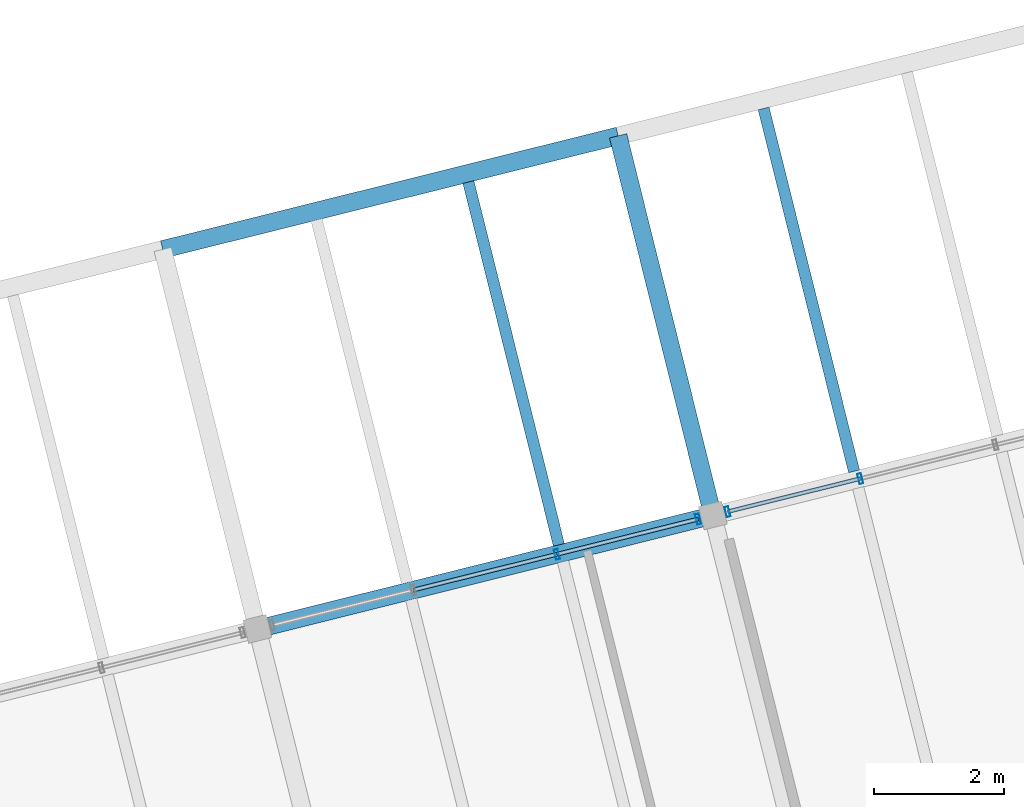
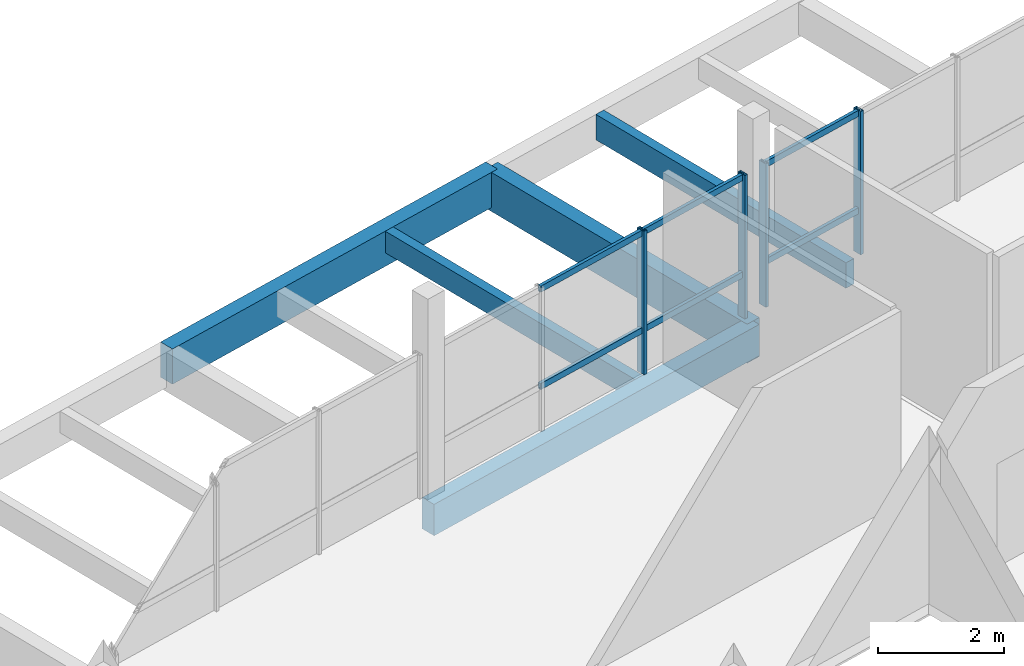
# One storey, part 21 of 28: 10 members, 5 beams, 2 elements without a shape of their own.
"""IFC4 building model written with IfcOpenShell, lengths in metres."""

from ifc_helpers import new_model, si_unit, direction, frame, origin, origin_2d, place, context, subcontext, project, spatial, rectangle, hollow_rectangle, extrude, material, layer, layer_set, material_profile, profile_set, type_object, element, aggregate, save


model = new_model("IFC4")

# Units and contexts
model_context = context("Model", 3, precision=1e-05, world=origin(), true_north=direction((0.0, 1.0)))
body_context = subcontext(model_context, "Body", "Model", "MODEL_VIEW")
ifc_project = project(units=[si_unit("LENGTHUNIT", "METRE"), si_unit("AREAUNIT", "SQUARE_METRE"), si_unit("VOLUMEUNIT", "CUBIC_METRE"), si_unit("PLANEANGLEUNIT", "RADIAN"), si_unit("MASSUNIT", "GRAM", prefix="KILO")], contexts=[model_context])

# Site, building, storey
site_placement = place(None, origin())
site = spatial("IfcSite", under=ifc_project, at=site_placement, CompositionType="ELEMENT")
building_placement = place(site_placement, origin())
building = spatial("IfcBuilding", under=site, at=building_placement, Name="Meriwether Solvik Hall", CompositionType="ELEMENT")
storey_placement = place(building_placement, frame((0.0, 0.0, 45.60009765625)))
storey = spatial("IfcBuildingStorey", under=building, at=storey_placement, Name="L11", CompositionType="ELEMENT", Elevation=45.60009765625)

# Beams
ifc_material_1 = material(Name="Glulam Douglas-Fir 24F-V8 GL28h", Category="wood")
ifc_material_profile_1 = material_profile(ifc_material_1, rectangle(XDim=0.27294921875, YDim=0.610107421875, at=origin_2d()), Name="GLB-273X610")
ifc_profile_set_1 = profile_set([ifc_material_profile_1], Name="Glulam Douglas-Fir 24F-V8 GL28h")
beam_type_1 = type_object("IfcBeamType", Name="BM-GL-273X610", PredefinedType="SPANDREL", material=ifc_profile_set_1)
beam_1_placement = place(storey_placement, frame((83.172607421875, 73.690673828125, -0.505126953125), z_axis=(0.970301855688, 0.241897310542, 0.0), x_axis=(-0.241897310542, 0.970301855688, 0.0)))
element("IfcBeam", 1, at=beam_1_placement, inside=storey, type_object=beam_type_1, Name="Tower Girder TE:T4-T5 (L11)", PredefinedType="SPANDREL", context=body_context, shape_type="SweptSolid", body=[
    extrude(rectangle(XDim=0.27294921875, YDim=0.610107421875, at=origin_2d()), origin(), (0.0, 0.0, 1.0), 7.2001953125),
])
ifc_material_2 = material(Name="Glulam Douglas-Fir 24F-V8 GL28h", Category="wood")
ifc_material_profile_2 = material_profile(ifc_material_2, rectangle(XDim=0.27294921875, YDim=0.68505859375, at=origin_2d()), Name="GLB-273X685")
ifc_profile_set_2 = profile_set([ifc_material_profile_2], Name="Glulam Douglas-Fir 24F-V8 GL28h")
beam_type_2 = type_object("IfcBeamType", Name="BM-GL-273X685", PredefinedType="BEAM", material=ifc_profile_set_2)
beam_2_placement = place(storey_placement, frame((81.72119140625, 79.512451171875, -0.54248046875), z_axis=(0.970299871507, 0.241905269381, 0.0), x_axis=(-0.241905269381, 0.970299871507, 0.0)))
element("IfcBeam", 2, at=beam_2_placement, inside=storey, type_object=beam_type_2, Name="Tower Girder TF:T4-T5 (L11)", PredefinedType="BEAM", context=body_context, shape_type="SweptSolid", body=[
    extrude(rectangle(XDim=0.27294921875, YDim=0.68505859375, at=origin_2d()), origin(), (0.0, 0.0, 1.0), 7.199951171875),
])
ifc_material_3 = material(Name="Glulam Douglas-Fir 24F-V8 GL28h", Category="wood")
ifc_material_profile_3 = material_profile(ifc_material_3, rectangle(XDim=0.27294921875, YDim=0.760009765625, at=origin_2d()), Name="GLB-273X760")
ifc_profile_set_3 = profile_set([ifc_material_profile_3], Name="Glulam Douglas-Fir 24F-V8 GL28h")
beam_type_3 = type_object("IfcBeamType", Name="BM-GL-273X760", PredefinedType="BEAM", material=ifc_profile_set_3)
beam_3_placement = place(storey_placement, frame((90.158935546875, 75.432373046875, -0.580078125), z_axis=(-0.241941986192, 0.970290716908, 0.0), x_axis=(-0.970290716908, -0.241941986192, 0.0)))
element("IfcBeam", 3, at=beam_3_placement, inside=storey, type_object=beam_type_3, Name="Tower Girder T5:TE-TF (L11)", PredefinedType="BEAM", context=body_context, shape_type="SweptSolid", body=[
    extrude(rectangle(XDim=0.27294921875, YDim=0.760009765625, at=origin_2d()), origin(), (0.0, 0.0, 1.0), 6.0),
])

# Curtain wall, members
ifc_material_4 = material(Name="Thermally Broken Anodised Aluminium 6063-T6 and Low-E Glass", Category="aluminium")
ifc_layer_1 = layer(ifc_material_4, 0.179931640625)
ifc_layer_set_1 = layer_set([ifc_layer_1], Name="Thermally Broken Anodised Aluminium 6063-T6 and Low-E Glass")
curtain_wall_type_1 = type_object("IfcCurtainWallType", Name="CW-UNIT-G", PredefinedType="USERDEFINED", material=ifc_layer_set_1)
curtain_wall_1_placement = place(storey_placement, origin())
curtain_wall_1 = element("IfcCurtainWall", 4, at=curtain_wall_1_placement, inside=storey, type_object=curtain_wall_type_1, Name="Curtain Wall E2_B3 (L11)", ObjectType="UNITISED CURTAIN WALL", PredefinedType="USERDEFINED")
ifc_material_5 = material(Name="Anodised Aluminium 6063-T6", Category="aluminium")
ifc_material_profile_4 = material_profile(ifc_material_5, hollow_rectangle(XDim=0.06005859375, YDim=0.159912109375, WallThickness=0.00390625, at=origin_2d()), Name="CWM-60X160")
ifc_profile_set_4 = profile_set([ifc_material_profile_4], Name="Anodised Aluminium 6063-T6")
member_type_1 = type_object("IfcMemberType", Name="CW-MUL-60X160", PredefinedType="MULLION", material=ifc_profile_set_4)
member_1_placement = place(storey_placement, frame((87.76708984375, 74.836181640625, 0.0), z_axis=(0.0, 0.0, 1.0), x_axis=(0.97029573429, 0.241921863457, 0.0)))
member_1 = element("IfcMember", 5, at=member_1_placement, type_object=member_type_1, Name="Curtain Wall Mullion 3", PredefinedType="MULLION", context=body_context, shape_type="SweptSolid", body=[
    extrude(hollow_rectangle(XDim=0.06005859375, YDim=0.159912109375, WallThickness=0.00390625, at=origin_2d()), origin(), (0.0, 0.0, 1.0), 2.789794921875),
])
member_2_placement = place(storey_placement, frame((89.933349609375, 75.376220703125, 0.0), z_axis=(0.0, 0.0, 1.0), x_axis=(0.97029573429, 0.241921863457, 0.0)))
member_2 = element("IfcMember", 6, at=member_2_placement, type_object=member_type_1, Name="Curtain Wall Mullion 4", PredefinedType="MULLION", context=body_context, shape_type="SweptSolid", body=[
    extrude(hollow_rectangle(XDim=0.06005859375, YDim=0.159912109375, WallThickness=0.00390625, at=origin_2d()), origin(), (0.0, 0.0, 1.0), 2.789794921875),
])

ifc_material_6 = material(Name="Thermally Broken Anodised Aluminium 6063-T6 and Low-E Glass", Category="aluminium")
ifc_layer_2 = layer(ifc_material_6, 0.179931640625)
ifc_layer_set_2 = layer_set([ifc_layer_2], Name="Thermally Broken Anodised Aluminium 6063-T6 and Low-E Glass")
curtain_wall_type_2 = type_object("IfcCurtainWallType", Name="CW-UNIT-A", PredefinedType="USERDEFINED", material=ifc_layer_set_2)
curtain_wall_2_placement = place(storey_placement, origin())
curtain_wall_2 = element("IfcCurtainWall", 7, at=curtain_wall_2_placement, inside=storey, type_object=curtain_wall_type_2, Name="Curtain Wall E2_B4 (L11)", ObjectType="UNITISED CURTAIN WALL", PredefinedType="USERDEFINED")
member_3_placement = place(storey_placement, frame((90.384521484375, 75.48876953125, 0.0), z_axis=(0.0, 0.0, 1.0), x_axis=(0.970295700549, 0.241921998784, 0.0)))
member_3 = element("IfcMember", 8, at=member_3_placement, type_object=member_type_1, Name="Curtain Wall Mullion 1", PredefinedType="MULLION", context=body_context, shape_type="SweptSolid", body=[
    extrude(hollow_rectangle(XDim=0.06005859375, YDim=0.159912109375, WallThickness=0.00390625, at=origin_2d()), origin(), (0.0, 0.0, 1.0), 2.789794921875),
])
member_4_placement = place(storey_placement, frame((92.421142578125, 75.996337890625, 0.0), z_axis=(0.0, 0.0, 1.0), x_axis=(0.970295700549, 0.241921998784, 0.0)))
member_4 = element("IfcMember", 9, at=member_4_placement, type_object=member_type_1, Name="Curtain Wall Mullion 2", PredefinedType="MULLION", context=body_context, shape_type="SweptSolid", body=[
    extrude(hollow_rectangle(XDim=0.06005859375, YDim=0.159912109375, WallThickness=0.00390625, at=origin_2d()), origin(), (0.0, 0.0, 1.0), 2.789794921875),
])

# Member
ifc_material_7 = material(Name="Anodised Aluminium 6063-T6", Category="aluminium")
ifc_material_profile_5 = material_profile(ifc_material_7, hollow_rectangle(XDim=0.06005859375, YDim=0.1201171875, WallThickness=0.00390625, at=origin_2d()), Name="CWT-60X120")
ifc_profile_set_5 = profile_set([ifc_material_profile_5], Name="Anodised Aluminium 6063-T6")
member_type_2 = type_object("IfcMemberType", Name="CW-TRN-60X120", PredefinedType="USERDEFINED", material=ifc_profile_set_5)
member_5_placement = place(storey_placement, frame((85.564208984375, 74.286865234375, 0.8369140625), z_axis=(0.970287814054, 0.241953627576, 0.0), x_axis=(-0.241953627576, 0.970287814054, 0.0)))
member_5 = element("IfcMember", 10, at=member_5_placement, type_object=member_type_2, Name="Curtain Wall Transom 2-sill", ObjectType="TRANSOM", PredefinedType="USERDEFINED", context=body_context, shape_type="SweptSolid", body=[
    extrude(hollow_rectangle(XDim=0.06005859375, YDim=0.1201171875, WallThickness=0.00390625, at=origin_2d()), origin(), (0.0, 0.0, 1.0), 2.270263671875),
])

member_6_placement = place(storey_placement, frame((85.564208984375, 74.286865234375, 2.72998046875), z_axis=(0.970287814054, 0.241953627576, 0.0), x_axis=(-0.241953627576, 0.970287814054, 0.0)))
member_6 = element("IfcMember", 11, at=member_6_placement, type_object=member_type_2, Name="Curtain Wall Transom 2-head", ObjectType="TRANSOM", PredefinedType="USERDEFINED", context=body_context, shape_type="SweptSolid", body=[
    extrude(hollow_rectangle(XDim=0.06005859375, YDim=0.1201171875, WallThickness=0.00390625, at=origin_2d()), origin(), (0.0, 0.0, 1.0), 2.270263671875),
])

member_7_placement = place(storey_placement, frame((87.76708984375, 74.836181640625, 0.8369140625), z_axis=(0.970303102429, 0.241892309543, 0.0), x_axis=(-0.241892309543, 0.970303102429, 0.0)))
member_7 = element("IfcMember", 12, at=member_7_placement, type_object=member_type_2, Name="Curtain Wall Transom 3-sill", ObjectType="TRANSOM", PredefinedType="USERDEFINED", context=body_context, shape_type="SweptSolid", body=[
    extrude(hollow_rectangle(XDim=0.06005859375, YDim=0.1201171875, WallThickness=0.00390625, at=origin_2d()), origin(), (0.0, 0.0, 1.0), 2.232666015625),
])

member_8_placement = place(storey_placement, frame((87.76708984375, 74.836181640625, 2.72998046875), z_axis=(0.970303102429, 0.241892309543, 0.0), x_axis=(-0.241892309543, 0.970303102429, 0.0)))
member_8 = element("IfcMember", 13, at=member_8_placement, type_object=member_type_2, Name="Curtain Wall Transom 3-head", ObjectType="TRANSOM", PredefinedType="USERDEFINED", context=body_context, shape_type="SweptSolid", body=[
    extrude(hollow_rectangle(XDim=0.06005859375, YDim=0.1201171875, WallThickness=0.00390625, at=origin_2d()), origin(), (0.0, 0.0, 1.0), 2.232666015625),
])

aggregate(curtain_wall_1, [member_1, member_2, member_5, member_6, member_7, member_8])

member_9_placement = place(storey_placement, frame((90.384521484375, 75.48876953125, 0.8369140625), z_axis=(0.970320136445, 0.241823970711, 0.0), x_axis=(-0.241823970711, 0.970320136445, 0.0)))
member_9 = element("IfcMember", 14, at=member_9_placement, type_object=member_type_2, Name="Curtain Wall Transom 1-sill", ObjectType="TRANSOM", PredefinedType="USERDEFINED", context=body_context, shape_type="SweptSolid", body=[
    extrude(hollow_rectangle(XDim=0.06005859375, YDim=0.1201171875, WallThickness=0.00390625, at=origin_2d()), origin(), (0.0, 0.0, 1.0), 2.098876953125),
])

member_10_placement = place(storey_placement, frame((90.384521484375, 75.48876953125, 2.72998046875), z_axis=(0.970320136445, 0.241823970711, 0.0), x_axis=(-0.241823970711, 0.970320136445, 0.0)))
member_10 = element("IfcMember", 15, at=member_10_placement, type_object=member_type_2, Name="Curtain Wall Transom 1-head", ObjectType="TRANSOM", PredefinedType="USERDEFINED", context=body_context, shape_type="SweptSolid", body=[
    extrude(hollow_rectangle(XDim=0.06005859375, YDim=0.1201171875, WallThickness=0.00390625, at=origin_2d()), origin(), (0.0, 0.0, 1.0), 2.098876953125),
])

aggregate(curtain_wall_2, [member_3, member_4, member_9, member_10])

# Beams
ifc_material_8 = material(Name="Glulam Douglas-Fir 24F-V8 GL28h", Category="wood")
ifc_material_profile_6 = material_profile(ifc_material_8, rectangle(XDim=0.175048828125, YDim=0.419921875, at=origin_2d()), Name="GLJ-175X420")
ifc_profile_set_6 = profile_set([ifc_material_profile_6], Name="Glulam Douglas-Fir 24F-V8 GL28h")
beam_type_4 = type_object("IfcBeamType", Name="JST-GL-175X420", PredefinedType="JOIST", material=ifc_profile_set_6)
beam_4_placement = place(storey_placement, frame((87.79833984375, 74.9794921875, -0.41015625), z_axis=(-0.241934778209, 0.97029251419, 0.0), x_axis=(-0.97029251419, -0.241934778209, 0.0)))
element("IfcBeam", 16, at=beam_4_placement, inside=storey, type_object=beam_type_4, Name="Glulam Floor Joist T4/TE-J2 (L11)", PredefinedType="JOIST", context=body_context, shape_type="SweptSolid", body=[
    extrude(rectangle(XDim=0.175048828125, YDim=0.419921875, at=origin_2d()), origin(), (0.0, 0.0, 1.0), 5.73681640625),
])
ifc_material_9 = material(Name="Glulam Douglas-Fir 24F-V8 GL28h", Category="wood")
ifc_material_profile_7 = material_profile(ifc_material_9, rectangle(XDim=0.175048828125, YDim=0.4951171875, at=origin_2d()), Name="GLJ-175X495")
ifc_profile_set_7 = profile_set([ifc_material_profile_7], Name="Glulam Douglas-Fir 24F-V8 GL28h")
beam_type_5 = type_object("IfcBeamType", Name="JST-GL-175X495", PredefinedType="JOIST", material=ifc_profile_set_7)
beam_5_placement = place(storey_placement, frame((92.326416015625, 76.1083984375, -0.447509765625), z_axis=(-0.241924788532, 0.970295004982, 0.0), x_axis=(-0.970295004982, -0.241924788532, 0.0)))
element("IfcBeam", 17, at=beam_5_placement, inside=storey, type_object=beam_type_5, Name="Glulam Floor Joist T5/TE-J1 (L11)", PredefinedType="JOIST", context=body_context, shape_type="SweptSolid", body=[
    extrude(rectangle(XDim=0.175048828125, YDim=0.4951171875, at=origin_2d()), origin(), (0.0, 0.0, 1.0), 5.737060546875),
])

save(model, "model.ifc")
